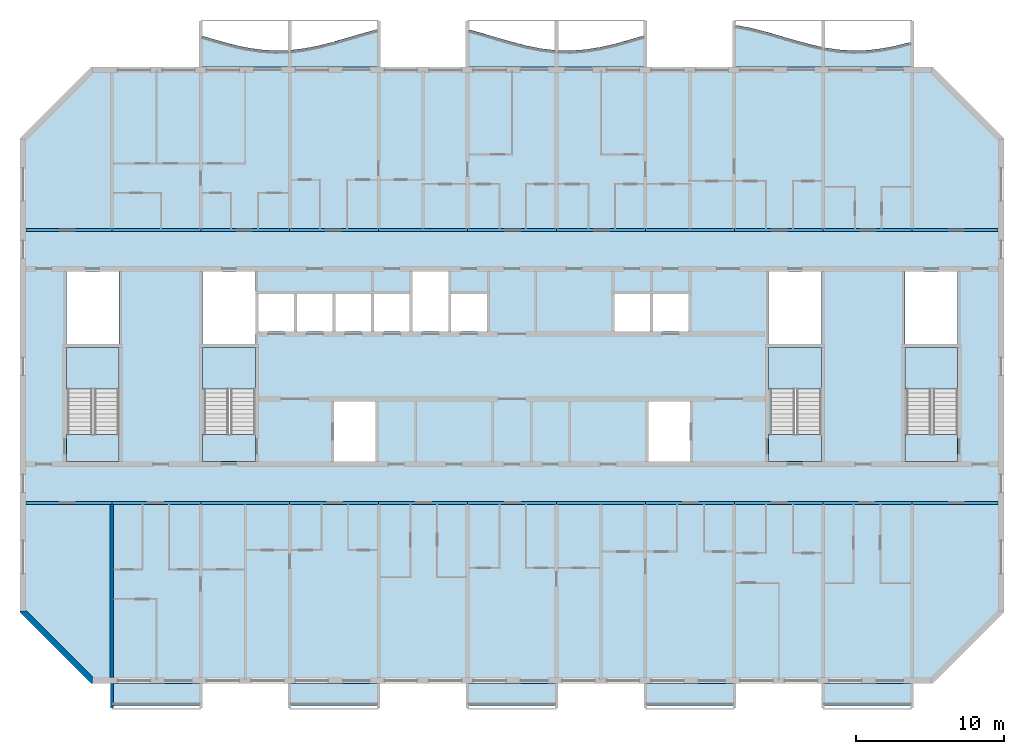
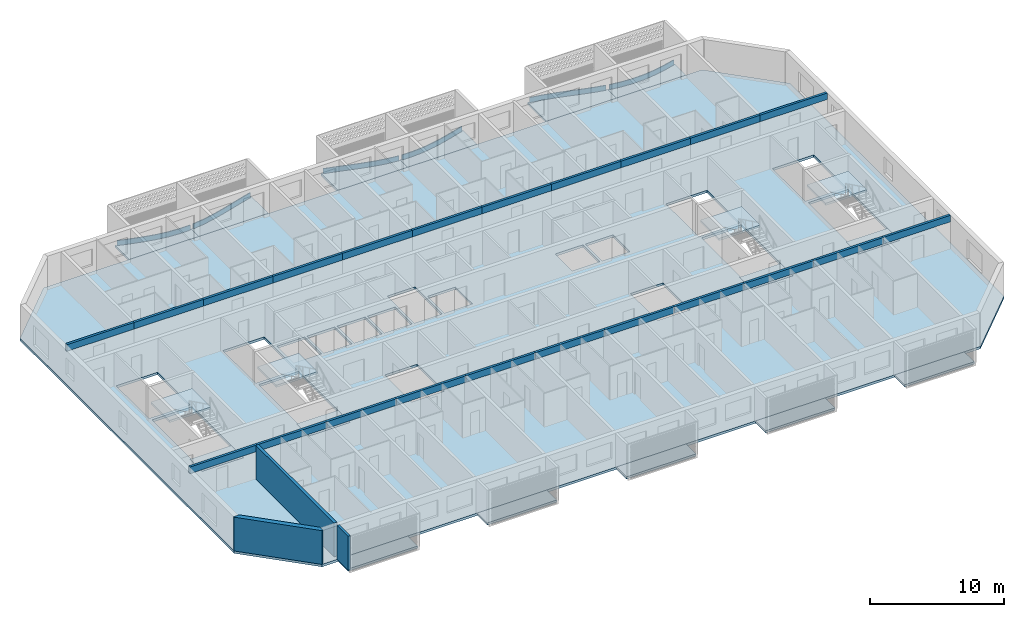
# One storey, part 1 of 27: 22 beams, 20 slabs, 6 plates, 3 walls, 4 elements without a shape of their own.
"""IFC4 building model written with IfcOpenShell, lengths in metres."""

from ifc_helpers import new_model, si_unit, direction, frame, frame_2d, origin, origin_2d, place, context, subcontext, project, spatial, polyline, rectangle, outline, extrude, source, transform, mapped, material, layer, layer_set, material_profile, profile_set, type_object, element, aggregate, save


model = new_model("IFC4")

# Units and contexts
model_context = context("Model", 3, precision=1e-05, world=origin(), true_north=direction((0.0, 1.0)))
body_context = subcontext(model_context, "Body", "Model", "MODEL_VIEW")
ifc_project = project(units=[si_unit("LENGTHUNIT", "METRE"), si_unit("AREAUNIT", "SQUARE_METRE"), si_unit("VOLUMEUNIT", "CUBIC_METRE"), si_unit("PLANEANGLEUNIT", "RADIAN"), si_unit("MASSUNIT", "GRAM", prefix="KILO")], contexts=[model_context])

# Site, building, storey
site_placement = place(None, origin())
site = spatial("IfcSite", under=ifc_project, at=site_placement, CompositionType="ELEMENT")
building_placement = place(site_placement, origin())
building = spatial("IfcBuilding", under=site, at=building_placement, Name="Poui Terraces", CompositionType="ELEMENT")
storey_placement = place(building_placement, frame((0.0, 0.0, 254.39990234375)))
storey = spatial("IfcBuildingStorey", under=building, at=storey_placement, Name="L71", CompositionType="ELEMENT", Elevation=254.39990234375)

# Beams
ifc_material_1 = material(Name="Concrete 50 MPa", Category="concrete")
ifc_material_profile = material_profile(ifc_material_1, rectangle(XDim=0.199951171875, YDim=0.60009765625, at=origin_2d()), Name="RC 200x600")
ifc_profile_set = profile_set([ifc_material_profile], Name="Concrete 50 MPa")
beam_type = type_object("IfcBeamType", Name="COUPLING BEAM 200x600 50MPa", PredefinedType="BEAM", material=ifc_profile_set)
shared_shape_1 = source(origin(), body_context, "Body", "SweptSolid", [
    extrude(rectangle(XDim=0.199951171875, YDim=0.60009765625, at=origin_2d()), origin(), (0.0, 0.0, 1.0), 5.800048828125),
])
for number, where, z_axis, x_axis, name in (
    (1, (18.199951171875, 12.0, 2.780029296875), (1.0, 0.0, 0.0), (0.0, 1.0, 0.0), "COUPLING BEAM LINE B BAY 1"),
    (2, (78.0, 12.0, 2.780029296875), (1.0, 0.0, 0.0), (0.0, 1.0, 0.0), "COUPLING BEAM LINE B BAY 11"),
    (3, (18.199951171875, 30.39990234375, 2.780029296875), (1.0, 0.0, 0.0), (0.0, 1.0, 0.0), "COUPLING BEAM LINE E BAY 1"),
    (4, (78.0, 30.39990234375, 2.780029296875), (1.0, 0.0, 0.0), (0.0, 1.0, 0.0), "COUPLING BEAM LINE E BAY 11"),
):
    element("IfcBeam", number, at=place(storey_placement, frame(where, z_axis=z_axis, x_axis=x_axis)), inside=storey, type_object=beam_type, Name=name, PredefinedType="BEAM", context=body_context, shape_type="MappedRepresentation", body=[
        mapped(shared_shape_1, transform((0.0, 0.0, 0.0))),
    ])
shared_shape_2 = source(origin(), body_context, "Body", "SweptSolid", [
    extrude(rectangle(XDim=0.199951171875, YDim=0.60009765625, at=origin_2d()), origin(), (0.0, 0.0, 1.0), 6.0),
])
for number, where, z_axis, x_axis, name in (
    (5, (24.0, 12.0, 2.780029296875), (1.0, 0.0, 0.0), (0.0, 1.0, 0.0), "COUPLING BEAM LINE B BAY 2"),
    (6, (30.0, 12.0, 2.780029296875), (1.0, 0.0, 0.0), (0.0, 1.0, 0.0), "COUPLING BEAM LINE B BAY 3"),
    (7, (36.0, 12.0, 2.780029296875), (1.0, 0.0, 0.0), (0.0, 1.0, 0.0), "COUPLING BEAM LINE B BAY 4"),
    (8, (42.0, 12.0, 2.780029296875), (1.0, 0.0, 0.0), (0.0, 1.0, 0.0), "COUPLING BEAM LINE B BAY 5"),
    (9, (48.0, 12.0, 2.780029296875), (1.0, 0.0, 0.0), (0.0, 1.0, 0.0), "COUPLING BEAM LINE B BAY 6"),
    (10, (54.0, 12.0, 2.780029296875), (1.0, 0.0, 0.0), (0.0, 1.0, 0.0), "COUPLING BEAM LINE B BAY 7"),
    (11, (60.0, 12.0, 2.780029296875), (1.0, 0.0, 0.0), (0.0, 1.0, 0.0), "COUPLING BEAM LINE B BAY 8"),
    (12, (66.0, 12.0, 2.780029296875), (1.0, 0.0, 0.0), (0.0, 1.0, 0.0), "COUPLING BEAM LINE B BAY 9"),
    (13, (72.0, 12.0, 2.780029296875), (1.0, 0.0, 0.0), (0.0, 1.0, 0.0), "COUPLING BEAM LINE B BAY 10"),
    (14, (24.0, 30.39990234375, 2.780029296875), (1.0, 0.0, 0.0), (0.0, 1.0, 0.0), "COUPLING BEAM LINE E BAY 2"),
    (15, (30.0, 30.39990234375, 2.780029296875), (1.0, 0.0, 0.0), (0.0, 1.0, 0.0), "COUPLING BEAM LINE E BAY 3"),
    (16, (36.0, 30.39990234375, 2.780029296875), (1.0, 0.0, 0.0), (0.0, 1.0, 0.0), "COUPLING BEAM LINE E BAY 4"),
    (17, (42.0, 30.39990234375, 2.780029296875), (1.0, 0.0, 0.0), (0.0, 1.0, 0.0), "COUPLING BEAM LINE E BAY 5"),
    (18, (48.0, 30.39990234375, 2.780029296875), (1.0, 0.0, 0.0), (0.0, 1.0, 0.0), "COUPLING BEAM LINE E BAY 6"),
    (19, (54.0, 30.39990234375, 2.780029296875), (1.0, 0.0, 0.0), (0.0, 1.0, 0.0), "COUPLING BEAM LINE E BAY 7"),
    (20, (60.0, 30.39990234375, 2.780029296875), (1.0, 0.0, 0.0), (0.0, 1.0, 0.0), "COUPLING BEAM LINE E BAY 8"),
    (21, (66.0, 30.39990234375, 2.780029296875), (1.0, 0.0, 0.0), (0.0, 1.0, 0.0), "COUPLING BEAM LINE E BAY 9"),
    (22, (72.0, 30.39990234375, 2.780029296875), (1.0, 0.0, 0.0), (0.0, 1.0, 0.0), "COUPLING BEAM LINE E BAY 10"),
):
    element("IfcBeam", number, at=place(storey_placement, frame(where, z_axis=z_axis, x_axis=x_axis)), inside=storey, type_object=beam_type, Name=name, PredefinedType="BEAM", context=body_context, shape_type="MappedRepresentation", body=[
        mapped(shared_shape_2, transform((0.0, 0.0, 0.0))),
    ])

# Slabs
ifc_material_2 = material(Name="Precast concrete 40 MPa", Category="concrete")
ifc_layer_1 = layer(ifc_material_2, 0.199951171875)
ifc_layer_set_1 = layer_set([ifc_layer_1], Name="Precast concrete 40 MPa")
slab_type_1 = type_object("IfcSlabType", Name="BALCONY SLAB 200", PredefinedType="FLOOR", material=ifc_layer_set_1)
slab_1_placement = place(storey_placement, frame((0.0, 0.0, -0.199951171875)))
element("IfcSlab", 23, at=slab_1_placement, inside=storey, type_object=slab_type_1, Name="BALCONY SLAB", PredefinedType="FLOOR", context=body_context, shape_type="SweptSolid", body=[
    extrude(outline(polyline([(30.0, 41.39990234375), (36.0, 41.39990234375), (36.0, 42.52978515625), (35.0, 42.502197265625), (34.0, 42.569091796875), (33.0, 42.724609375), (32.0, 42.951904296875), (31.0, 43.227783203125), (30.0, 43.524169921875), (30.0, 41.39990234375)])), origin(), (0.0, 0.0, 1.0), 0.199951171875),
])
slab_2_placement = place(storey_placement, frame((0.0, 0.0, -0.199951171875)))
element("IfcSlab", 24, at=slab_2_placement, inside=storey, type_object=slab_type_1, Name="BALCONY SLAB", PredefinedType="FLOOR", context=body_context, shape_type="SweptSolid", body=[
    extrude(outline(polyline([(36.0, 41.39990234375), (42.0, 41.39990234375), (42.0, 43.960693359375), (41.0, 43.6943359375), (40.0, 43.400146484375), (39.0, 43.108642578125), (38.0, 42.849609375), (37.0, 42.64990234375), (36.0, 42.52978515625), (36.0, 41.39990234375)])), origin(), (0.0, 0.0, 1.0), 0.199951171875),
])
slab_3_placement = place(storey_placement, frame((0.0, 0.0, -0.199951171875)))
element("IfcSlab", 25, at=slab_3_placement, inside=storey, type_object=slab_type_1, Name="BALCONY SLAB", PredefinedType="FLOOR", context=body_context, shape_type="SweptSolid", body=[
    extrude(outline(polyline([(48.0, 41.39990234375), (54.0, 41.39990234375), (54.0, 42.52392578125), (53.0, 42.63671875), (52.0, 42.830322265625), (51.0, 43.08544921875), (50.0, 43.375244140625), (49.0, 43.67041015625), (48.0, 43.940185546875), (48.0, 41.39990234375)])), origin(), (0.0, 0.0, 1.0), 0.199951171875),
])
slab_4_placement = place(storey_placement, frame((0.0, 0.0, -0.199951171875)))
element("IfcSlab", 26, at=slab_4_placement, inside=storey, type_object=slab_type_1, Name="BALCONY SLAB", PredefinedType="FLOOR", context=body_context, shape_type="SweptSolid", body=[
    extrude(outline(polyline([(54.0, 41.39990234375), (60.0, 41.39990234375), (60.0, 43.548828125), (59.0, 43.252197265625), (58.0, 42.973388671875), (57.0, 42.740966796875), (56.0, 42.5791015625), (55.0, 42.504150390625), (54.0, 42.52392578125), (54.0, 41.39990234375)])), origin(), (0.0, 0.0, 1.0), 0.199951171875),
])
slab_5_placement = place(storey_placement, frame((0.0, 0.0, -0.199951171875)))
element("IfcSlab", 27, at=slab_5_placement, inside=storey, type_object=slab_type_1, Name="BALCONY SLAB", PredefinedType="FLOOR", context=body_context, shape_type="SweptSolid", body=[
    extrude(outline(polyline([(66.0, 41.39990234375), (72.0, 41.39990234375), (72.0, 42.724609375), (71.0, 42.951904296875), (70.0, 43.227783203125), (69.0, 43.524169921875), (68.0, 43.810302734375), (67.0, 44.056884765625), (66.0, 44.23828125), (66.0, 41.39990234375)])), origin(), (0.0, 0.0, 1.0), 0.199951171875),
])
slab_6_placement = place(storey_placement, frame((0.0, 0.0, -0.199951171875)))
element("IfcSlab", 28, at=slab_6_placement, inside=storey, type_object=slab_type_1, Name="BALCONY SLAB", PredefinedType="FLOOR", context=body_context, shape_type="SweptSolid", body=[
    extrude(outline(polyline([(72.0, 41.39990234375), (78.0, 41.39990234375), (78.0, 43.108642578125), (77.0, 42.849609375), (76.0, 42.64990234375), (75.0, 42.52978515625), (74.0, 42.502197265625), (73.0, 42.569091796875), (72.0, 42.724609375), (72.0, 41.39990234375)])), origin(), (0.0, 0.0, 1.0), 0.199951171875),
])

# Stair, slabs
stair_type = type_object("IfcStairType", Name="EXIT STAIR 1650 50 MPA", PredefinedType="HALF_TURN_STAIR", material=ifc_material_1)
stair_1_placement = place(storey_placement, origin())
stair_1 = element("IfcStair", 29, at=stair_1_placement, inside=storey, type_object=stair_type, Name="L71 CORE STAIR EAST", PredefinedType="HALF_TURN_STAIR")
ifc_layer_2 = layer(ifc_material_1, 0.199951171875)
ifc_layer_set_2 = layer_set([ifc_layer_2], Name="Concrete 50 MPa")
slab_type_2 = type_object("IfcSlabType", Name="STAIR LANDING 200 50 MPA", PredefinedType="LANDING", material=ifc_layer_set_2)
slab_7_placement = place(storey_placement, frame((0.0, 0.0, 1.449951171875)))
slab_7 = element("IfcSlab", 30, at=slab_7_placement, type_object=slab_type_2, Name="ST-CE landing 1", PredefinedType="LANDING", context=body_context, shape_type="SweptSolid", body=[
    extrude(outline(polyline([(68.324951171875, 19.679931640625), (71.875, 19.679931640625), (71.875, 22.47509765625), (68.324951171875, 22.47509765625), (68.324951171875, 19.679931640625)])), origin(), (0.0, 0.0, 1.0), 0.2001953125),
])
slab_8_placement = place(storey_placement, frame((0.0, 0.0, -0.199951171875)))
slab_8 = element("IfcSlab", 31, at=slab_8_placement, type_object=slab_type_2, Name="ST-CE landing 2", PredefinedType="LANDING", context=body_context, shape_type="SweptSolid", body=[
    extrude(outline(polyline([(68.324951171875, 14.77490234375), (71.875, 14.77490234375), (71.875, 16.60009765625), (68.324951171875, 16.60009765625), (68.324951171875, 14.77490234375)])), origin(), (0.0, 0.0, 1.0), 0.199951171875),
])
aggregate(stair_1, [slab_7, slab_8])

stair_2_placement = place(storey_placement, origin())
stair_2 = element("IfcStair", 32, at=stair_2_placement, inside=storey, type_object=stair_type, Name="L71 CORE STAIR WEST", PredefinedType="HALF_TURN_STAIR")
slab_9_placement = place(storey_placement, frame((0.0, 0.0, 1.449951171875)))
slab_9 = element("IfcSlab", 33, at=slab_9_placement, type_object=slab_type_2, Name="ST-CW landing 1", PredefinedType="LANDING", context=body_context, shape_type="SweptSolid", body=[
    extrude(outline(polyline([(30.125, 19.679931640625), (33.675048828125, 19.679931640625), (33.675048828125, 22.47509765625), (30.125, 22.47509765625), (30.125, 19.679931640625)])), origin(), (0.0, 0.0, 1.0), 0.2001953125),
])
slab_10_placement = place(storey_placement, frame((0.0, 0.0, -0.199951171875)))
slab_10 = element("IfcSlab", 34, at=slab_10_placement, type_object=slab_type_2, Name="ST-CW landing 2", PredefinedType="LANDING", context=body_context, shape_type="SweptSolid", body=[
    extrude(outline(polyline([(30.125, 14.77490234375), (33.675048828125, 14.77490234375), (33.675048828125, 16.60009765625), (30.125, 16.60009765625), (30.125, 14.77490234375)])), origin(), (0.0, 0.0, 1.0), 0.199951171875),
])
aggregate(stair_2, [slab_9, slab_10])

stair_3_placement = place(storey_placement, origin())
stair_3 = element("IfcStair", 35, at=stair_3_placement, inside=storey, type_object=stair_type, Name="L71 TIP STAIR EAST", PredefinedType="HALF_TURN_STAIR")
slab_11_placement = place(storey_placement, frame((0.0, 0.0, 1.449951171875)))
slab_11 = element("IfcSlab", 36, at=slab_11_placement, type_object=slab_type_2, Name="ST-E landing 1", PredefinedType="LANDING", context=body_context, shape_type="SweptSolid", body=[
    extrude(outline(polyline([(77.52490234375, 19.679931640625), (81.074951171875, 19.679931640625), (81.074951171875, 22.47509765625), (77.52490234375, 22.47509765625), (77.52490234375, 19.679931640625)])), origin(), (0.0, 0.0, 1.0), 0.2001953125),
])
slab_12_placement = place(storey_placement, frame((0.0, 0.0, -0.199951171875)))
slab_12 = element("IfcSlab", 37, at=slab_12_placement, type_object=slab_type_2, Name="ST-E landing 2", PredefinedType="LANDING", context=body_context, shape_type="SweptSolid", body=[
    extrude(outline(polyline([(77.52490234375, 14.77490234375), (81.074951171875, 14.77490234375), (81.074951171875, 16.60009765625), (77.52490234375, 16.60009765625), (77.52490234375, 14.77490234375)])), origin(), (0.0, 0.0, 1.0), 0.199951171875),
])
aggregate(stair_3, [slab_11, slab_12])

stair_4_placement = place(storey_placement, origin())
stair_4 = element("IfcStair", 38, at=stair_4_placement, inside=storey, type_object=stair_type, Name="L71 TIP STAIR WEST", PredefinedType="HALF_TURN_STAIR")
slab_13_placement = place(storey_placement, frame((0.0, 0.0, 1.449951171875)))
slab_13 = element("IfcSlab", 39, at=slab_13_placement, type_object=slab_type_2, Name="ST-W landing 1", PredefinedType="LANDING", context=body_context, shape_type="SweptSolid", body=[
    extrude(outline(polyline([(20.925048828125, 19.679931640625), (24.47509765625, 19.679931640625), (24.47509765625, 22.47509765625), (20.925048828125, 22.47509765625), (20.925048828125, 19.679931640625)])), origin(), (0.0, 0.0, 1.0), 0.2001953125),
])
slab_14_placement = place(storey_placement, frame((0.0, 0.0, -0.199951171875)))
slab_14 = element("IfcSlab", 40, at=slab_14_placement, type_object=slab_type_2, Name="ST-W landing 2", PredefinedType="LANDING", context=body_context, shape_type="SweptSolid", body=[
    extrude(outline(polyline([(20.925048828125, 14.77490234375), (24.47509765625, 14.77490234375), (24.47509765625, 16.60009765625), (20.925048828125, 16.60009765625), (20.925048828125, 14.77490234375)])), origin(), (0.0, 0.0, 1.0), 0.199951171875),
])
aggregate(stair_4, [slab_13, slab_14])

# Plates
ifc_layer_3 = layer(ifc_material_2, 0.080078125)
ifc_layer_set_3 = layer_set([ifc_layer_3], Name="Precast concrete 40 MPa")
plate_type = type_object("IfcPlateType", Name="SUNSHADE UPSTAND 80", PredefinedType="SHEET", material=ifc_layer_set_3)
plate_1_placement = place(storey_placement, origin())
element("IfcPlate", 41, at=plate_1_placement, inside=storey, type_object=plate_type, Name="SUNSHADE UPSTAND", PredefinedType="SHEET", context=body_context, shape_type="SweptSolid", body=[
    extrude(outline(polyline([(31.010986328125, 43.22119140625), (30.136474609375, 43.48046875), (30.113525390625, 43.40380859375), (30.989013671875, 43.144287109375), (31.990234375, 42.867919921875), (32.992431640625, 42.64013671875), (33.99560546875, 42.484375), (34.9990234375, 42.4169921875), (35.8759765625, 42.436279296875), (35.8740234375, 42.51611328125), (35.0009765625, 42.4970703125), (34.00439453125, 42.56396484375), (33.007568359375, 42.71875), (32.009765625, 42.945556640625), (31.010986328125, 43.22119140625)])), origin(), (0.0, 0.0, 1.0), 0.4501953125),
])
plate_2_placement = place(storey_placement, origin())
element("IfcPlate", 42, at=plate_2_placement, inside=storey, type_object=plate_type, Name="SUNSHADE UPSTAND", PredefinedType="SHEET", context=body_context, shape_type="SweptSolid", body=[
    extrude(outline(polyline([(36.99365234375, 42.644287109375), (36.1201171875, 42.53466796875), (36.1298828125, 42.455322265625), (37.00634765625, 42.5654296875), (38.0087890625, 42.765625), (39.010498046875, 43.025146484375), (40.01123046875, 43.31689453125), (41.0107421875, 43.61083984375), (41.885498046875, 43.84619140625), (41.864501953125, 43.923583984375), (40.9892578125, 43.687744140625), (39.98876953125, 43.3935546875), (38.989501953125, 43.102294921875), (37.9912109375, 42.84375), (36.99365234375, 42.644287109375)])), origin(), (0.0, 0.0, 1.0), 0.4501953125),
])
plate_3_placement = place(storey_placement, origin())
element("IfcPlate", 43, at=plate_3_placement, inside=storey, type_object=plate_type, Name="SUNSHADE UPSTAND", PredefinedType="SHEET", context=body_context, shape_type="SweptSolid", body=[
    extrude(outline(polyline([(49.010986328125, 43.663818359375), (48.135498046875, 43.90234375), (48.114501953125, 43.8251953125), (48.989013671875, 43.5869140625), (49.98876953125, 43.2919921875), (50.989501953125, 43.001708984375), (51.9912109375, 42.746337890625), (52.993896484375, 42.552001953125), (53.870361328125, 42.448486328125), (53.879638671875, 42.52783203125), (53.006103515625, 42.631103515625), (52.0087890625, 42.824462890625), (51.010498046875, 43.0791015625), (50.01123046875, 43.36865234375), (49.010986328125, 43.663818359375)])), origin(), (0.0, 0.0, 1.0), 0.4501953125),
])
plate_4_placement = place(storey_placement, origin())
element("IfcPlate", 44, at=plate_4_placement, inside=storey, type_object=plate_type, Name="SUNSHADE UPSTAND", PredefinedType="SHEET", context=body_context, shape_type="SweptSolid", body=[
    extrude(outline(polyline([(54.998779296875, 42.4990234375), (54.12548828125, 42.51123046875), (54.12451171875, 42.431396484375), (55.001220703125, 42.419189453125), (56.004638671875, 42.494140625), (57.0078125, 42.65673828125), (58.010009765625, 42.889404296875), (59.010986328125, 43.168701171875), (59.886474609375, 43.428466796875), (59.863525390625, 43.505126953125), (58.989013671875, 43.24560546875), (57.989990234375, 42.967041015625), (56.9921875, 42.735107421875), (55.995361328125, 42.57373046875), (54.998779296875, 42.4990234375)])), origin(), (0.0, 0.0, 1.0), 0.4501953125),
])
plate_5_placement = place(storey_placement, origin())
element("IfcPlate", 45, at=plate_5_placement, inside=storey, type_object=plate_type, Name="SUNSHADE UPSTAND", PredefinedType="SHEET", context=body_context, shape_type="SweptSolid", body=[
    extrude(outline(polyline([(67.008544921875, 44.05078125), (66.13232421875, 44.214111328125), (66.11767578125, 44.135498046875), (66.991455078125, 43.97265625), (67.98974609375, 43.7265625), (68.98876953125, 43.44091796875), (69.989013671875, 43.144287109375), (70.990234375, 42.867919921875), (71.865966796875, 42.665283203125), (71.884033203125, 42.743408203125), (71.009765625, 42.945556640625), (70.010986328125, 43.22119140625), (69.01123046875, 43.517578125), (68.01025390625, 43.803955078125), (67.008544921875, 44.05078125)])), origin(), (0.0, 0.0, 1.0), 0.4501953125),
])
plate_6_placement = place(storey_placement, origin())
element("IfcPlate", 46, at=plate_6_placement, inside=storey, type_object=plate_type, Name="SUNSHADE UPSTAND", PredefinedType="SHEET", context=body_context, shape_type="SweptSolid", body=[
    extrude(outline(polyline([(73.00439453125, 42.56396484375), (72.130859375, 42.6953125), (72.119140625, 42.6162109375), (72.99560546875, 42.484375), (73.999267578125, 42.4169921875), (75.0029296875, 42.445068359375), (76.00634765625, 42.5654296875), (77.0087890625, 42.765625), (77.885009765625, 42.989990234375), (77.864990234375, 43.067626953125), (76.9912109375, 42.84375), (75.99365234375, 42.644287109375), (74.9970703125, 42.52490234375), (74.000732421875, 42.4970703125), (73.00439453125, 42.56396484375)])), origin(), (0.0, 0.0, 1.0), 0.4501953125),
])

# Slabs
ifc_material_3 = material(Name="Concrete 40 MPa", Category="concrete")
ifc_layer_4 = layer(ifc_material_3, 0.219970703125)
ifc_layer_set_4 = layer_set([ifc_layer_4], Name="Concrete 40 MPa")
slab_type_3 = type_object("IfcSlabType", Name="FLOOR SLAB 220", PredefinedType="FLOOR", material=ifc_layer_set_4)
shared_shape_3 = source(origin(), body_context, "Body", "SweptSolid", [
    extrude(outline(polyline([(0.0, 0.0), (4.800048828125, -4.800048828125), (61.599853515625, -4.800048828125), (66.39990234375, 0.0), (66.39990234375, 32.0), (61.599853515625, 36.7998046875), (4.800048828125, 36.7998046875), (0.0, 32.0), (0.0, 0.0)]), holes=[polyline([(21.199951171875, 10.1748046875), (21.199951171875, 14.224853515625), (24.0, 14.224853515625), (24.0, 10.1748046875), (21.199951171875, 10.1748046875)]), polyline([(3.224853515625, 17.849853515625), (6.675048828125, 17.849853515625), (6.675048828125, 12.0), (6.675048828125, 10.1748046875), (3.125, 10.1748046875), (3.125, 12.0), (3.224853515625, 12.0), (3.224853515625, 17.849853515625)]), polyline([(12.425048828125, 17.849853515625), (15.875, 17.849853515625), (15.875, 12.0), (15.875, 10.1748046875), (12.324951171875, 10.1748046875), (12.324951171875, 12.0), (12.425048828125, 12.0), (12.425048828125, 17.849853515625)]), polyline([(16.099853515625, 18.974853515625), (16.099853515625, 21.5), (18.5, 21.5), (18.5, 18.974853515625), (16.099853515625, 18.974853515625)]), polyline([(18.699951171875, 18.974853515625), (18.699951171875, 21.5), (21.099853515625, 21.5), (21.099853515625, 18.974853515625), (18.699951171875, 18.974853515625)]), polyline([(21.300048828125, 18.974853515625), (21.300048828125, 21.5), (23.699951171875, 21.5), (23.699951171875, 18.974853515625), (21.300048828125, 18.974853515625)]), polyline([(23.89990234375, 18.974853515625), (23.89990234375, 21.5), (26.300048828125, 21.5), (26.300048828125, 18.974853515625), (23.89990234375, 18.974853515625)]), polyline([(3.125, 23.02490234375), (6.675048828125, 23.02490234375), (6.675048828125, 18.125), (3.125, 18.125), (3.125, 23.02490234375)]), polyline([(12.324951171875, 23.02490234375), (15.875, 23.02490234375), (15.875, 18.125), (12.324951171875, 18.125), (12.324951171875, 23.02490234375)]), polyline([(42.39990234375, 10.1748046875), (42.39990234375, 14.224853515625), (45.199951171875, 14.224853515625), (45.199951171875, 10.1748046875), (42.39990234375, 10.1748046875)]), polyline([(50.625, 17.849853515625), (54.074951171875, 17.849853515625), (54.074951171875, 12.0), (54.074951171875, 10.1748046875), (50.52490234375, 10.1748046875), (50.52490234375, 12.0), (50.625, 12.0), (50.625, 17.849853515625)]), polyline([(59.824951171875, 17.849853515625), (63.27490234375, 17.849853515625), (63.27490234375, 12.0), (63.27490234375, 10.1748046875), (59.724853515625, 10.1748046875), (59.724853515625, 12.0), (59.824951171875, 12.0), (59.824951171875, 17.849853515625)]), polyline([(29.099853515625, 18.974853515625), (29.099853515625, 21.5), (31.5, 21.5), (31.5, 18.974853515625), (29.099853515625, 18.974853515625)]), polyline([(40.099853515625, 18.974853515625), (40.099853515625, 21.5), (42.5, 21.5), (42.5, 18.974853515625), (40.099853515625, 18.974853515625)]), polyline([(42.699951171875, 18.974853515625), (42.699951171875, 21.5), (45.099853515625, 21.5), (45.099853515625, 18.974853515625), (42.699951171875, 18.974853515625)]), polyline([(50.52490234375, 18.125), (50.52490234375, 23.02490234375), (54.074951171875, 23.02490234375), (54.074951171875, 18.125), (50.52490234375, 18.125)]), polyline([(59.724853515625, 23.02490234375), (63.27490234375, 23.02490234375), (63.27490234375, 18.125), (59.724853515625, 18.125), (59.724853515625, 23.02490234375)]), polyline([(26.5, 23.02490234375), (28.89990234375, 23.02490234375), (28.89990234375, 18.974853515625), (26.5, 18.974853515625), (26.5, 23.02490234375)])]), origin(), (0.0, 0.0, 1.0), 0.219970703125),
])
slab_15_placement = place(storey_placement, frame((17.800048828125, 4.60009765625, -0.219970703125)))
element("IfcSlab", 47, at=slab_15_placement, inside=storey, type_object=slab_type_3, Name="FLOOR SLAB", PredefinedType="FLOOR", context=body_context, shape_type="MappedRepresentation", body=[
    mapped(shared_shape_3, transform((0.0, 0.0, 0.0))),
])
ifc_layer_5 = layer(ifc_material_2, 0.199951171875)
ifc_layer_set_5 = layer_set([ifc_layer_5], Name="Precast concrete 40 MPa")
slab_type_4 = type_object("IfcSlabType", Name="REAR BALCONY SLAB 200", PredefinedType="FLOOR", material=ifc_layer_set_5)
shared_shape_4 = source(origin(), body_context, "Body", "SweptSolid", [
    extrude(outline(polyline([(0.0, 0.0), (6.0, 0.0), (6.0, 1.5), (0.0, 1.5), (0.0, 0.0)])), origin(), (0.0, 0.0, 1.0), 0.199951171875),
])
for number, where, name in (
    (48, (24.0, -1.699951171875, -0.199951171875), "REAR BALCONY SLAB"),
    (49, (36.0, -1.699951171875, -0.199951171875), "REAR BALCONY SLAB"),
    (50, (48.0, -1.699951171875, -0.199951171875), "REAR BALCONY SLAB"),
    (51, (60.0, -1.699951171875, -0.199951171875), "REAR BALCONY SLAB"),
    (52, (72.0, -1.699951171875, -0.199951171875), "REAR BALCONY SLAB"),
):
    element("IfcSlab", number, at=place(storey_placement, frame(where)), inside=storey, type_object=slab_type_4, Name=name, PredefinedType="FLOOR", context=body_context, shape_type="MappedRepresentation", body=[
        mapped(shared_shape_4, transform((0.0, 0.0, 0.0))),
    ])

# Walls
ifc_layer_6 = layer(ifc_material_1, 0.25)
ifc_layer_set_6 = layer_set([ifc_layer_6], Name="Concrete 50 MPa")
wall_type_1 = type_object("IfcWallType", Name="CROSS WALL 250 50MPa", PredefinedType="SHEAR", material=ifc_layer_set_6)
wall_1_placement = place(storey_placement, frame((24.0, 0.199951171875, 0.0), z_axis=(0.0, 0.0, 1.0), x_axis=(0.0, 1.0, 0.0)))
element("IfcWall", 53, at=wall_1_placement, inside=storey, type_object=wall_type_1, Name="CROSS WALL LINE 5 SOUTH", PredefinedType="SHEAR", context=body_context, shape_type="SweptSolid", body=[
    extrude(rectangle(XDim=11.699951171875, YDim=0.25, at=frame_2d((5.85009765625, 0.0))), origin(), (0.0, 0.0, 1.0), 3.080078125),
])
ifc_layer_7 = layer(ifc_material_2, 0.39990234375)
ifc_layer_set_7 = layer_set([ifc_layer_7], Name="Precast concrete 40 MPa")
wall_type_2 = type_object("IfcWallType", Name="TERRACOTTA CLAD CHAMFER WALL 400", PredefinedType="STANDARD", material=ifc_layer_set_7)
wall_2_placement = place(storey_placement, origin())
element("IfcWall", 54, at=wall_2_placement, inside=storey, type_object=wall_type_2, Name="CHAMFER WALL CH07", PredefinedType="STANDARD", context=body_context, shape_type="SweptSolid", body=[
    extrude(outline(polyline([(17.800048828125, 4.682861328125), (17.800048828125, 4.60009765625), (22.60009765625, -0.199951171875), (22.682861328125, -0.199951171875), (22.682861328125, 0.28271484375), (18.28271484375, 4.682861328125), (17.800048828125, 4.682861328125)])), origin(), (0.0, 0.0, 1.0), 3.080078125),
])
ifc_layer_8 = layer(ifc_material_2, 0.199951171875)
ifc_layer_set_8 = layer_set([ifc_layer_8], Name="Precast concrete 40 MPa")
wall_type_3 = type_object("IfcWallType", Name="REAR FIN 200", PredefinedType="STANDARD", material=ifc_layer_set_8)
shared_shape_5 = source(origin(), body_context, "Body", "SweptSolid", [
    extrude(outline(polyline([(0.0, 0.0), (0.2001953125, 0.0), (0.2001953125, 1.650146484375), (0.0, 1.650146484375), (0.0, 0.0)])), origin(), (0.0, 0.0, 1.0), 3.10009765625),
])
wall_3_placement = place(storey_placement, frame((23.89990234375, -1.85009765625, 0.0)))
element("IfcWall", 55, at=wall_3_placement, inside=storey, type_object=wall_type_3, Name="REAR FIN", PredefinedType="STANDARD", context=body_context, shape_type="MappedRepresentation", body=[
    mapped(shared_shape_5, transform((0.0, 0.0, 0.0))),
])

save(model, "model.ifc")
